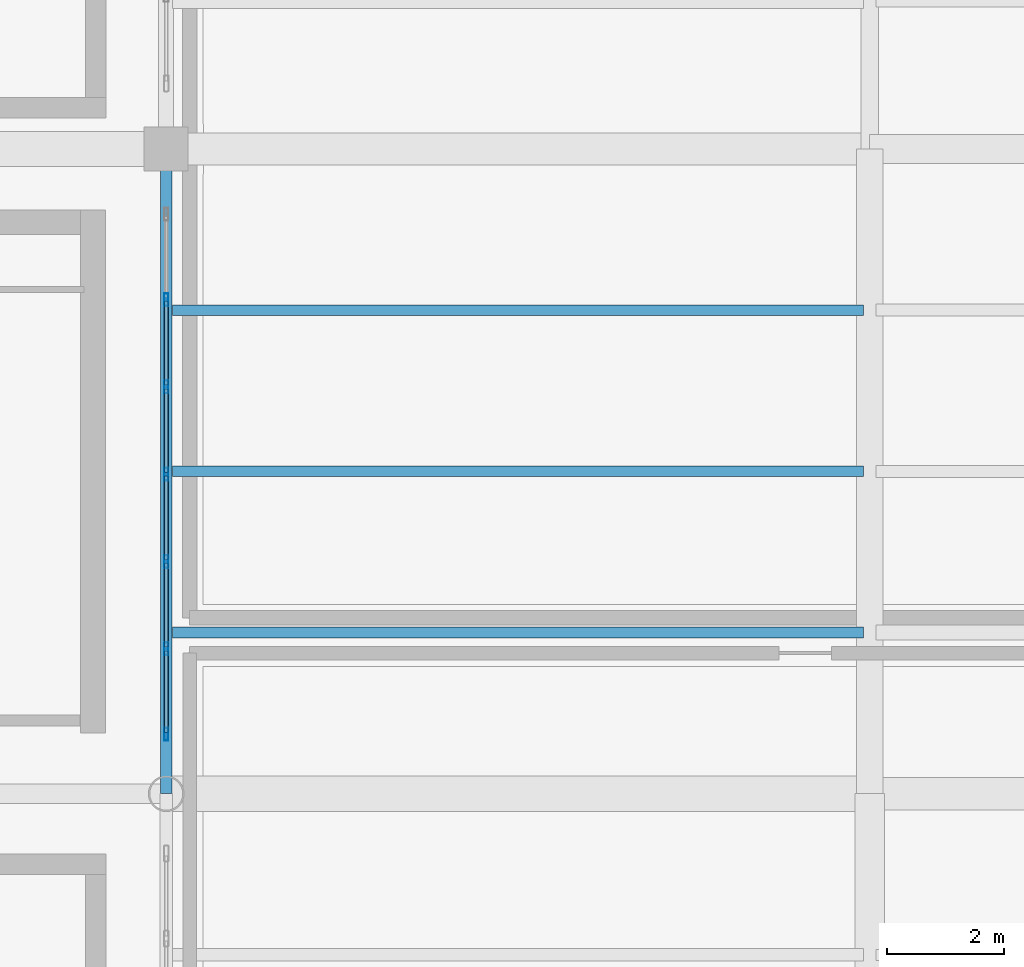
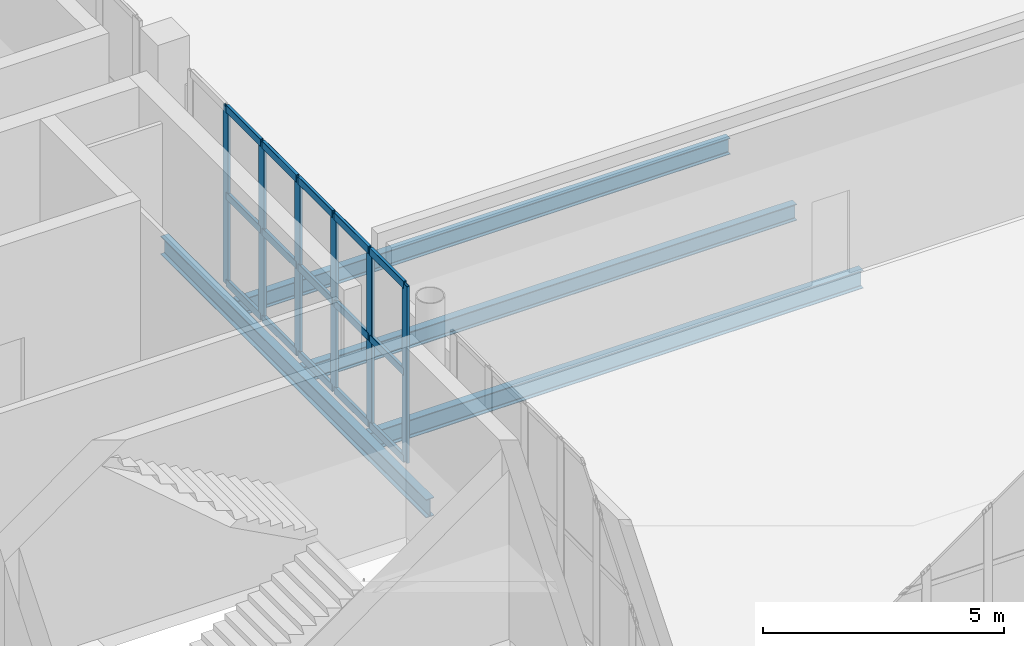
# One storey, part 66 of 136: 21 members, 4 beams, 1 element without a shape of its own.
"""IFC4 building model written with IfcOpenShell, lengths in metres."""

import ifcopenshell
import ifcopenshell.guid

model = None  # the IFC model being written
_history = None  # IfcOwnerHistory: only IFC2X3 demands one
_inside = {}  # id of a spatial element -> (the spatial element, [elements in it])
_under = {}  # id of a project, library or spatial element -> (it, [spatial elements below it])
_declared = {}  # id of a project -> (the project, [libraries it declares])
_typed = {}  # id of a type object -> (the type object, [elements of that type])
_made_of = {}  # id of a material, layer set ... -> (it, [elements and type objects made of it])


def new_model(schema):
    """Start an empty IFC model of exactly this schema.

    Asked for "IFC4X3", IfcOpenShell would pick the latest addendum, in which some entities
    have other attributes; the version numbers below select the first issue.
    IFC2X3 requires an IfcOwnerHistory on every rooted entity: one is made here for all.
    """
    global model, _history
    if schema == "IFC4X3":
        model = ifcopenshell.file(schema_version=(4, 3, 0, 0))
    else:
        model = ifcopenshell.file(schema=schema)
    _inside.clear()
    _under.clear()
    _declared.clear()
    _typed.clear()
    _made_of.clear()
    _history = None
    if model.schema == "IFC2X3":
        org = make("IfcOrganization", Name="unknown")
        user = make(
            "IfcPersonAndOrganization",
            ThePerson=make("IfcPerson", FamilyName="unknown"),
            TheOrganization=org,
        )
        app = make(
            "IfcApplication",
            ApplicationDeveloper=org,
            Version="unknown",
            ApplicationFullName="unknown",
            ApplicationIdentifier="unknown",
        )
        _history = make(
            "IfcOwnerHistory",
            OwningUser=user,
            OwningApplication=app,
            ChangeAction="ADDED",
            CreationDate=0,
        )
    return model


def make(cls, **values):
    """One entity of the class cls with the attributes given. An attribute that is None is left unset."""
    return model.create_entity(
        cls, **{name: value for name, value in values.items() if value is not None}
    )


def rooted(cls, **values):
    """An entity with a GlobalId (a new one), such as an element, a storey or a relation."""
    return make(cls, GlobalId=ifcopenshell.guid.new(), OwnerHistory=_history, **values)


def si_unit(unit_type, name, prefix=None):
    """IfcSIUnit, for example si_unit("LENGTHUNIT", "METRE", prefix="MILLI")."""
    return make("IfcSIUnit", UnitType=unit_type, Prefix=prefix, Name=name)


def assignment(units):
    """IfcUnitAssignment: the units of a project."""
    return None if units is None else make("IfcUnitAssignment", Units=units)


def point(xyz):
    """IfcCartesianPoint."""
    return None if xyz is None else make("IfcCartesianPoint", Coordinates=xyz)


def direction(xyz):
    """IfcDirection."""
    return None if xyz is None else make("IfcDirection", DirectionRatios=xyz)


def frame(location, z_axis=None, x_axis=None):
    """IfcAxis2Placement3D, a coordinate frame: its origin and axes. An axis left out is left unset."""
    return make(
        "IfcAxis2Placement3D",
        Location=point(location),
        Axis=direction(z_axis),
        RefDirection=direction(x_axis),
    )


def frame_2d(location, x_axis=None):
    """IfcAxis2Placement2D, a coordinate frame in the plane: its origin and x axis."""
    return make(
        "IfcAxis2Placement2D", Location=point(location), RefDirection=direction(x_axis)
    )


def origin():
    """The frame at (0, 0, 0) with its axes left unset."""
    return frame((0.0, 0.0, 0.0))


def origin_2d():
    """The frame at (0, 0) in the plane with its x axis left unset."""
    return frame_2d((0.0, 0.0))


def place(relative_to, where):
    """IfcLocalPlacement: puts the frame where relative to a parent placement (None: the world)."""
    return make(
        "IfcLocalPlacement", PlacementRelTo=relative_to, RelativePlacement=where
    )


def context(
    kind, dimensions, precision=None, world=None, true_north=None, identifier=None
):
    """IfcGeometricRepresentationContext, for example the 3D "Model" context."""
    return make(
        "IfcGeometricRepresentationContext",
        ContextIdentifier=identifier,
        ContextType=kind,
        CoordinateSpaceDimension=dimensions,
        Precision=precision,
        WorldCoordinateSystem=world,
        TrueNorth=true_north,
    )


def subcontext(parent, identifier, kind, view, scale=None):
    """IfcGeometricRepresentationSubContext, for example "Body" below "Model"."""
    return make(
        "IfcGeometricRepresentationSubContext",
        ContextIdentifier=identifier,
        ContextType=kind,
        ParentContext=parent,
        TargetScale=scale,
        TargetView=view,
    )


def project(units=None, contexts=None):
    """IfcProject with its units and contexts."""
    return rooted(
        "IfcProject",
        Name="project",
        RepresentationContexts=contexts,
        UnitsInContext=assignment(units),
    )


def spatial(cls, under=None, at=None, **own):
    """A site, building, storey or space (cls), placed at a placement, below another one or the project."""
    s = rooted(cls, ObjectPlacement=at, **own)
    if under is not None:
        _under.setdefault(under.id(), (under, []))[1].append(s)
    return s


def profile(cls, at=None, kind="AREA", **sizes):
    """A parametric profile (cls). Its sizes go by their IFC names, for example OverallWidth=200.0."""
    return make(cls, ProfileType=kind, Position=at, **sizes)


def hollow_rectangle(**sizes):
    """IfcRectangleHollowProfileDef."""
    return profile("IfcRectangleHollowProfileDef", **sizes)


def i_section(**sizes):
    """IfcIShapeProfileDef."""
    return profile("IfcIShapeProfileDef", **sizes)


def extrude(swept, where, along, depth):
    """IfcExtrudedAreaSolid: the profile swept, set in the frame where, extruded along a direction by depth."""
    return make(
        "IfcExtrudedAreaSolid",
        SweptArea=swept,
        Position=where,
        ExtrudedDirection=direction(along),
        Depth=depth,
    )


def shape(context_of_items, identifier, shape_type, items):
    """IfcShapeRepresentation: the items that make up one representation, for example the "Body"."""
    return make(
        "IfcShapeRepresentation",
        ContextOfItems=context_of_items,
        RepresentationIdentifier=identifier,
        RepresentationType=shape_type,
        Items=items,
    )


def material(Name=None, Category=None):
    """IfcMaterial."""
    return make("IfcMaterial", Name=Name, Category=Category)


def layer(
    of_material, thickness, ventilated=None, Name=None, Category=None, Priority=None
):
    """IfcMaterialLayer: one layer of a wall or slab, of a material (None: an air gap)."""
    return make(
        "IfcMaterialLayer",
        Material=of_material,
        LayerThickness=thickness,
        IsVentilated=ventilated,
        Name=Name,
        Category=Category,
        Priority=Priority,
    )


def layer_set(layers, Name=None):
    """IfcMaterialLayerSet."""
    return make("IfcMaterialLayerSet", MaterialLayers=layers, LayerSetName=Name)


def material_profile(
    of_material, cross_section, Name=None, Category=None, Priority=None
):
    """IfcMaterialProfile: a cross section and its material."""
    return make(
        "IfcMaterialProfile",
        Name=Name,
        Material=of_material,
        Profile=cross_section,
        Priority=Priority,
        Category=Category,
    )


def profile_set(profiles, Name=None, composite=None):
    """IfcMaterialProfileSet."""
    return make(
        "IfcMaterialProfileSet",
        Name=Name,
        MaterialProfiles=profiles,
        CompositeProfile=composite,
    )


def made_of(thing, what):
    """Note that an element or type object is made of a material, layer set ...; save() writes the relation."""
    if what is not None:
        _made_of.setdefault(what.id(), (what, []))[1].append(thing)
    return thing


def type_object(cls, material=None, **own):
    """A type object (cls), such as IfcWallType, which elements share."""
    return made_of(rooted(cls, **own), material)


def element(
    cls,
    number,
    at=None,
    inside=None,
    cuts=None,
    type_object=None,
    material=None,
    context=None,
    identifier="Body",
    shape_type=None,
    held_by="IfcProductDefinitionShape",
    body=None,
    shapes=None,
    **own,
):
    """One element of the class cls, such as IfcWall. Its Tag is "e" and its number.

    at: its placement. inside: the storey or other place that contains it. cuts: it is an
    opening in that element (IfcRelVoidsElement). A single representation is given by context,
    identifier, shape_type and body (its items); several are given by shapes. held_by: the class
    of the entity that holds the representations. save() writes the other relations.
    """
    e = rooted(cls, Tag="e%d" % number, ObjectPlacement=at, **own)
    if body is not None:
        shapes = [shape(context, identifier, shape_type, body)]
    if shapes is not None:
        e.Representation = make(held_by, Representations=shapes)
    if inside is not None:
        _inside.setdefault(inside.id(), (inside, []))[1].append(e)
    if cuts is not None:
        rooted(
            "IfcRelVoidsElement", RelatingBuildingElement=cuts, RelatedOpeningElement=e
        )
    if type_object is not None:
        _typed.setdefault(type_object.id(), (type_object, []))[1].append(e)
    return made_of(e, material)


def aggregate(whole, parts):
    """IfcRelAggregates: a whole, such as a stair, and the parts it consists of."""
    return rooted("IfcRelAggregates", RelatingObject=whole, RelatedObjects=parts)


def save(model, path):
    """Write the relations noted so far, then the file.

    IfcRelAggregates (storeys below a building ...), IfcRelContainedInSpatialStructure (elements
    in a storey), IfcRelDefinesByType, IfcRelAssociatesMaterial and IfcRelDeclares: one each for
    every whole, place, type object, material and project.
    """
    for whole, parts in _under.values():
        aggregate(whole, parts)
    for where, things in _inside.values():
        rooted(
            "IfcRelContainedInSpatialStructure",
            RelatedElements=things,
            RelatingStructure=where,
        )
    for kind, things in _typed.values():
        rooted("IfcRelDefinesByType", RelatedObjects=things, RelatingType=kind)
    for what, things in _made_of.values():
        rooted("IfcRelAssociatesMaterial", RelatedObjects=things, RelatingMaterial=what)
    for by, libraries in _declared.values():
        rooted("IfcRelDeclares", RelatingContext=by, RelatedDefinitions=libraries)
    model.write(path)


model = new_model("IFC4")

# Units and contexts
model_context = context("Model", 3, precision=1e-05, world=origin(), true_north=direction((0.0, 1.0)))
body_context = subcontext(model_context, "Body", "Model", "MODEL_VIEW")
ifc_project = project(units=[si_unit("LENGTHUNIT", "METRE"), si_unit("AREAUNIT", "SQUARE_METRE"), si_unit("VOLUMEUNIT", "CUBIC_METRE"), si_unit("PLANEANGLEUNIT", "RADIAN"), si_unit("MASSUNIT", "GRAM", prefix="KILO")], contexts=[model_context])

# Site, building, storey
site_placement = place(None, origin())
site = spatial("IfcSite", under=ifc_project, at=site_placement, CompositionType="ELEMENT")
building_placement = place(site_placement, origin())
building = spatial("IfcBuilding", under=site, at=building_placement, Name="Brinegate Civic Arena", CompositionType="ELEMENT")
storey_placement = place(building_placement, frame((0.0, 0.0, 5.39990234375)))
storey = spatial("IfcBuildingStorey", under=building, at=storey_placement, Name="L01", CompositionType="ELEMENT", Elevation=5.39990234375)

# Curtain wall, members
ifc_material_1 = material(Name="Marine grade aluminium", Category="aluminium")
ifc_layer = layer(ifc_material_1, 0.199951171875, Name="Marine grade aluminium")
ifc_layer_set = layer_set([ifc_layer], Name="Marine grade aluminium")
curtain_wall_type = type_object("IfcCurtainWallType", Name="CW-BOWL-GLAZED-01", PredefinedType="USERDEFINED", material=ifc_layer_set)
curtain_wall_placement = place(storey_placement, origin())
curtain_wall = element("IfcCurtainWall", 1, at=curtain_wall_placement, inside=storey, type_object=curtain_wall_type, Name="Curtain Wall CWA-047", ObjectType="GLAZED CURTAIN WALL", PredefinedType="USERDEFINED")
ifc_material_profile_1 = material_profile(ifc_material_1, hollow_rectangle(XDim=0.06494140625, YDim=0.219970703125, WallThickness=0.006103515625, InnerFilletRadius=0.00390625, OuterFilletRadius=0.008056640625, at=origin_2d()), Name="MUL65X220")
ifc_profile_set_1 = profile_set([ifc_material_profile_1], Name="Marine grade aluminium")
member_type_1 = type_object("IfcMemberType", Name="CW-MULLION-65X220", PredefinedType="MULLION", material=ifc_profile_set_1)
member_1_placement = place(storey_placement, frame((168.0, 32.013427734375, 0.0), z_axis=(0.0, 0.0, 1.0), x_axis=(-1.0, 0.0, 0.0)))
member_1 = element("IfcMember", 2, at=member_1_placement, type_object=member_type_1, Name="CWA-047 mullion 1", PredefinedType="MULLION", context=body_context, shape_type="SweptSolid", body=[
    extrude(hollow_rectangle(XDim=0.06494140625, YDim=0.219970703125, WallThickness=0.006103515625, InnerFilletRadius=0.00390625, OuterFilletRadius=0.008056640625, at=origin_2d()), origin(), (0.0, 0.0, 1.0), 4.47021484375),
])
member_2_placement = place(storey_placement, frame((168.0, 33.470947265625, 0.0), z_axis=(0.0, 0.0, 1.0), x_axis=(-1.0, 0.0, 0.0)))
member_2 = element("IfcMember", 3, at=member_2_placement, type_object=member_type_1, Name="CWA-047 mullion 2", PredefinedType="MULLION", context=body_context, shape_type="SweptSolid", body=[
    extrude(hollow_rectangle(XDim=0.06494140625, YDim=0.219970703125, WallThickness=0.006103515625, InnerFilletRadius=0.00390625, OuterFilletRadius=0.008056640625, at=origin_2d()), origin(), (0.0, 0.0, 1.0), 4.47021484375),
])
member_3_placement = place(storey_placement, frame((168.0, 34.960693359375, 0.0), z_axis=(0.0, 0.0, 1.0), x_axis=(-1.0, 0.0, 0.0)))
member_3 = element("IfcMember", 4, at=member_3_placement, type_object=member_type_1, Name="CWA-047 mullion 3", PredefinedType="MULLION", context=body_context, shape_type="SweptSolid", body=[
    extrude(hollow_rectangle(XDim=0.06494140625, YDim=0.219970703125, WallThickness=0.006103515625, InnerFilletRadius=0.00390625, OuterFilletRadius=0.008056640625, at=origin_2d()), origin(), (0.0, 0.0, 1.0), 4.47021484375),
])
member_4_placement = place(storey_placement, frame((168.0, 36.450439453125, 0.0), z_axis=(0.0, 0.0, 1.0), x_axis=(-1.0, 0.0, 0.0)))
member_4 = element("IfcMember", 5, at=member_4_placement, type_object=member_type_1, Name="CWA-047 mullion 4", PredefinedType="MULLION", context=body_context, shape_type="SweptSolid", body=[
    extrude(hollow_rectangle(XDim=0.06494140625, YDim=0.219970703125, WallThickness=0.006103515625, InnerFilletRadius=0.00390625, OuterFilletRadius=0.008056640625, at=origin_2d()), origin(), (0.0, 0.0, 1.0), 4.47021484375),
])
member_5_placement = place(storey_placement, frame((168.0, 37.9404296875, 0.0), z_axis=(0.0, 0.0, 1.0), x_axis=(-1.0, 0.0, 0.0)))
member_5 = element("IfcMember", 6, at=member_5_placement, type_object=member_type_1, Name="CWA-047 mullion 5", PredefinedType="MULLION", context=body_context, shape_type="SweptSolid", body=[
    extrude(hollow_rectangle(XDim=0.06494140625, YDim=0.219970703125, WallThickness=0.006103515625, InnerFilletRadius=0.00390625, OuterFilletRadius=0.008056640625, at=origin_2d()), origin(), (0.0, 0.0, 1.0), 4.47021484375),
])
member_6_placement = place(storey_placement, frame((168.0, 39.43017578125, 0.0), z_axis=(0.0, 0.0, 1.0), x_axis=(-1.0, 0.0, 0.0)))
member_6 = element("IfcMember", 7, at=member_6_placement, type_object=member_type_1, Name="CWA-047 mullion 6", PredefinedType="MULLION", context=body_context, shape_type="SweptSolid", body=[
    extrude(hollow_rectangle(XDim=0.06494140625, YDim=0.219970703125, WallThickness=0.006103515625, InnerFilletRadius=0.00390625, OuterFilletRadius=0.008056640625, at=origin_2d()), origin(), (0.0, 0.0, 1.0), 4.47021484375),
])
ifc_material_profile_2 = material_profile(ifc_material_1, hollow_rectangle(XDim=0.074951171875, YDim=0.18994140625, WallThickness=0.006103515625, InnerFilletRadius=0.00390625, OuterFilletRadius=0.008056640625, at=origin_2d()), Name="TRN75X190")
ifc_profile_set_2 = profile_set([ifc_material_profile_2], Name="Marine grade aluminium")
member_type_2 = type_object("IfcMemberType", Name="CW-TRANSOM-75X190", PredefinedType="USERDEFINED", material=ifc_profile_set_2)
member_7_placement = place(storey_placement, frame((168.0, 32.0458984375, 0.03759765625), z_axis=(0.0, 1.0, 0.0), x_axis=(-1.0, 0.0, 0.0)))
member_7 = element("IfcMember", 8, at=member_7_placement, type_object=member_type_2, Name="CWA-047 transom 1.1", ObjectType="TRANSOM", PredefinedType="USERDEFINED", context=body_context, shape_type="SweptSolid", body=[
    extrude(hollow_rectangle(XDim=0.074951171875, YDim=0.18994140625, WallThickness=0.006103515625, InnerFilletRadius=0.00390625, OuterFilletRadius=0.008056640625, at=origin_2d()), origin(), (0.0, 0.0, 1.0), 1.392333984375),
])
member_8_placement = place(storey_placement, frame((168.0, 32.0458984375, 2.235107421875), z_axis=(0.0, 1.0, 0.0), x_axis=(-1.0, 0.0, 0.0)))
member_8 = element("IfcMember", 9, at=member_8_placement, type_object=member_type_2, Name="CWA-047 transom 1.2", ObjectType="TRANSOM", PredefinedType="USERDEFINED", context=body_context, shape_type="SweptSolid", body=[
    extrude(hollow_rectangle(XDim=0.074951171875, YDim=0.18994140625, WallThickness=0.006103515625, InnerFilletRadius=0.00390625, OuterFilletRadius=0.008056640625, at=origin_2d()), origin(), (0.0, 0.0, 1.0), 1.392333984375),
])
member_9_placement = place(storey_placement, frame((168.0, 32.0458984375, 4.4326171875), z_axis=(0.0, 1.0, 0.0), x_axis=(-1.0, 0.0, 0.0)))
member_9 = element("IfcMember", 10, at=member_9_placement, type_object=member_type_2, Name="CWA-047 transom 1.3", ObjectType="TRANSOM", PredefinedType="USERDEFINED", context=body_context, shape_type="SweptSolid", body=[
    extrude(hollow_rectangle(XDim=0.074951171875, YDim=0.18994140625, WallThickness=0.006103515625, InnerFilletRadius=0.00390625, OuterFilletRadius=0.008056640625, at=origin_2d()), origin(), (0.0, 0.0, 1.0), 1.392333984375),
])
member_10_placement = place(storey_placement, frame((168.0, 33.50341796875, 0.03759765625), z_axis=(0.0, 1.0, 0.0), x_axis=(-1.0, 0.0, 0.0)))
member_10 = element("IfcMember", 11, at=member_10_placement, type_object=member_type_2, Name="CWA-047 transom 2.1", ObjectType="TRANSOM", PredefinedType="USERDEFINED", context=body_context, shape_type="SweptSolid", body=[
    extrude(hollow_rectangle(XDim=0.074951171875, YDim=0.18994140625, WallThickness=0.006103515625, InnerFilletRadius=0.00390625, OuterFilletRadius=0.008056640625, at=origin_2d()), origin(), (0.0, 0.0, 1.0), 1.4248046875),
])
member_11_placement = place(storey_placement, frame((168.0, 33.50341796875, 2.235107421875), z_axis=(0.0, 1.0, 0.0), x_axis=(-1.0, 0.0, 0.0)))
member_11 = element("IfcMember", 12, at=member_11_placement, type_object=member_type_2, Name="CWA-047 transom 2.2", ObjectType="TRANSOM", PredefinedType="USERDEFINED", context=body_context, shape_type="SweptSolid", body=[
    extrude(hollow_rectangle(XDim=0.074951171875, YDim=0.18994140625, WallThickness=0.006103515625, InnerFilletRadius=0.00390625, OuterFilletRadius=0.008056640625, at=origin_2d()), origin(), (0.0, 0.0, 1.0), 1.4248046875),
])
member_12_placement = place(storey_placement, frame((168.0, 33.50341796875, 4.4326171875), z_axis=(0.0, 1.0, 0.0), x_axis=(-1.0, 0.0, 0.0)))
member_12 = element("IfcMember", 13, at=member_12_placement, type_object=member_type_2, Name="CWA-047 transom 2.3", ObjectType="TRANSOM", PredefinedType="USERDEFINED", context=body_context, shape_type="SweptSolid", body=[
    extrude(hollow_rectangle(XDim=0.074951171875, YDim=0.18994140625, WallThickness=0.006103515625, InnerFilletRadius=0.00390625, OuterFilletRadius=0.008056640625, at=origin_2d()), origin(), (0.0, 0.0, 1.0), 1.4248046875),
])
member_13_placement = place(storey_placement, frame((168.0, 34.9931640625, 0.03759765625), z_axis=(0.0, 1.0, 0.0), x_axis=(-1.0, 0.0, 0.0)))
member_13 = element("IfcMember", 14, at=member_13_placement, type_object=member_type_2, Name="CWA-047 transom 3.1", ObjectType="TRANSOM", PredefinedType="USERDEFINED", context=body_context, shape_type="SweptSolid", body=[
    extrude(hollow_rectangle(XDim=0.074951171875, YDim=0.18994140625, WallThickness=0.006103515625, InnerFilletRadius=0.00390625, OuterFilletRadius=0.008056640625, at=origin_2d()), origin(), (0.0, 0.0, 1.0), 1.4248046875),
])
member_14_placement = place(storey_placement, frame((168.0, 34.9931640625, 2.235107421875), z_axis=(0.0, 1.0, 0.0), x_axis=(-1.0, 0.0, 0.0)))
member_14 = element("IfcMember", 15, at=member_14_placement, type_object=member_type_2, Name="CWA-047 transom 3.2", ObjectType="TRANSOM", PredefinedType="USERDEFINED", context=body_context, shape_type="SweptSolid", body=[
    extrude(hollow_rectangle(XDim=0.074951171875, YDim=0.18994140625, WallThickness=0.006103515625, InnerFilletRadius=0.00390625, OuterFilletRadius=0.008056640625, at=origin_2d()), origin(), (0.0, 0.0, 1.0), 1.4248046875),
])
member_15_placement = place(storey_placement, frame((168.0, 34.9931640625, 4.4326171875), z_axis=(0.0, 1.0, 0.0), x_axis=(-1.0, 0.0, 0.0)))
member_15 = element("IfcMember", 16, at=member_15_placement, type_object=member_type_2, Name="CWA-047 transom 3.3", ObjectType="TRANSOM", PredefinedType="USERDEFINED", context=body_context, shape_type="SweptSolid", body=[
    extrude(hollow_rectangle(XDim=0.074951171875, YDim=0.18994140625, WallThickness=0.006103515625, InnerFilletRadius=0.00390625, OuterFilletRadius=0.008056640625, at=origin_2d()), origin(), (0.0, 0.0, 1.0), 1.4248046875),
])
member_16_placement = place(storey_placement, frame((168.0, 36.48291015625, 0.03759765625), z_axis=(0.0, 1.0, 0.0), x_axis=(-1.0, 0.0, 0.0)))
member_16 = element("IfcMember", 17, at=member_16_placement, type_object=member_type_2, Name="CWA-047 transom 4.1", ObjectType="TRANSOM", PredefinedType="USERDEFINED", context=body_context, shape_type="SweptSolid", body=[
    extrude(hollow_rectangle(XDim=0.074951171875, YDim=0.18994140625, WallThickness=0.006103515625, InnerFilletRadius=0.00390625, OuterFilletRadius=0.008056640625, at=origin_2d()), origin(), (0.0, 0.0, 1.0), 1.4248046875),
])
member_17_placement = place(storey_placement, frame((168.0, 36.48291015625, 2.235107421875), z_axis=(0.0, 1.0, 0.0), x_axis=(-1.0, 0.0, 0.0)))
member_17 = element("IfcMember", 18, at=member_17_placement, type_object=member_type_2, Name="CWA-047 transom 4.2", ObjectType="TRANSOM", PredefinedType="USERDEFINED", context=body_context, shape_type="SweptSolid", body=[
    extrude(hollow_rectangle(XDim=0.074951171875, YDim=0.18994140625, WallThickness=0.006103515625, InnerFilletRadius=0.00390625, OuterFilletRadius=0.008056640625, at=origin_2d()), origin(), (0.0, 0.0, 1.0), 1.4248046875),
])
member_18_placement = place(storey_placement, frame((168.0, 36.48291015625, 4.4326171875), z_axis=(0.0, 1.0, 0.0), x_axis=(-1.0, 0.0, 0.0)))
member_18 = element("IfcMember", 19, at=member_18_placement, type_object=member_type_2, Name="CWA-047 transom 4.3", ObjectType="TRANSOM", PredefinedType="USERDEFINED", context=body_context, shape_type="SweptSolid", body=[
    extrude(hollow_rectangle(XDim=0.074951171875, YDim=0.18994140625, WallThickness=0.006103515625, InnerFilletRadius=0.00390625, OuterFilletRadius=0.008056640625, at=origin_2d()), origin(), (0.0, 0.0, 1.0), 1.4248046875),
])
member_19_placement = place(storey_placement, frame((168.0, 37.972900390625, 0.03759765625), z_axis=(0.0, 1.0, 0.0), x_axis=(-1.0, 0.0, 0.0)))
member_19 = element("IfcMember", 20, at=member_19_placement, type_object=member_type_2, Name="CWA-047 transom 5.1", ObjectType="TRANSOM", PredefinedType="USERDEFINED", context=body_context, shape_type="SweptSolid", body=[
    extrude(hollow_rectangle(XDim=0.074951171875, YDim=0.18994140625, WallThickness=0.006103515625, InnerFilletRadius=0.00390625, OuterFilletRadius=0.008056640625, at=origin_2d()), origin(), (0.0, 0.0, 1.0), 1.4248046875),
])
member_20_placement = place(storey_placement, frame((168.0, 37.972900390625, 2.235107421875), z_axis=(0.0, 1.0, 0.0), x_axis=(-1.0, 0.0, 0.0)))
member_20 = element("IfcMember", 21, at=member_20_placement, type_object=member_type_2, Name="CWA-047 transom 5.2", ObjectType="TRANSOM", PredefinedType="USERDEFINED", context=body_context, shape_type="SweptSolid", body=[
    extrude(hollow_rectangle(XDim=0.074951171875, YDim=0.18994140625, WallThickness=0.006103515625, InnerFilletRadius=0.00390625, OuterFilletRadius=0.008056640625, at=origin_2d()), origin(), (0.0, 0.0, 1.0), 1.4248046875),
])
member_21_placement = place(storey_placement, frame((168.0, 37.972900390625, 4.4326171875), z_axis=(0.0, 1.0, 0.0), x_axis=(-1.0, 0.0, 0.0)))
member_21 = element("IfcMember", 22, at=member_21_placement, type_object=member_type_2, Name="CWA-047 transom 5.3", ObjectType="TRANSOM", PredefinedType="USERDEFINED", context=body_context, shape_type="SweptSolid", body=[
    extrude(hollow_rectangle(XDim=0.074951171875, YDim=0.18994140625, WallThickness=0.006103515625, InnerFilletRadius=0.00390625, OuterFilletRadius=0.008056640625, at=origin_2d()), origin(), (0.0, 0.0, 1.0), 1.4248046875),
])
aggregate(curtain_wall, [member_1, member_2, member_3, member_4, member_5, member_6, member_7, member_8, member_9, member_10, member_11, member_12, member_13, member_14, member_15, member_16, member_17, member_18, member_19, member_20, member_21])

# Beams
ifc_material_2 = material(Name="Steel S355", Category="steel")
ifc_material_profile_3 = material_profile(ifc_material_2, i_section(OverallWidth=0.178955078125, OverallDepth=0.409912109375, WebThickness=0.009033203125, FlangeThickness=0.013916015625, FilletRadius=0.013916015625, at=origin_2d()), Name="W410X67")
ifc_profile_set_3 = profile_set([ifc_material_profile_3], Name="Steel S355")
beam_type_1 = type_object("IfcBeamType", Name="JOIST-W410X67", PredefinedType="JOIST", material=ifc_profile_set_3)
beam_1_placement = place(storey_placement, frame((168.10595703125, 39.25, -0.544921875), z_axis=(1.0, 0.0, 0.0), x_axis=(0.0, 1.0, 0.0)))
element("IfcBeam", 23, at=beam_1_placement, inside=storey, type_object=beam_type_1, Name="Secondary Joist BM-L01-JX-14-03-3", PredefinedType="JOIST", context=body_context, shape_type="SweptSolid", body=[
    extrude(i_section(OverallWidth=0.178955078125, OverallDepth=0.409912109375, WebThickness=0.009033203125, FlangeThickness=0.013916015625, FilletRadius=0.013916015625, at=origin_2d()), origin(), (0.0, 0.0, 1.0), 11.7880859375),
])
ifc_material_profile_4 = material_profile(ifc_material_2, i_section(OverallWidth=0.180908203125, OverallDepth=0.4169921875, WebThickness=0.010986328125, FlangeThickness=0.01806640625, FilletRadius=0.013916015625, at=origin_2d()), Name="W410X85")
ifc_profile_set_4 = profile_set([ifc_material_profile_4], Name="Steel S355")
beam_type_2 = type_object("IfcBeamType", Name="JOIST-W410X85", PredefinedType="JOIST", material=ifc_profile_set_4)
beam_2_placement = place(storey_placement, frame((168.10595703125, 36.5, -0.5478515625), z_axis=(1.0, 0.0, 0.0), x_axis=(0.0, 1.0, 0.0)))
element("IfcBeam", 24, at=beam_2_placement, inside=storey, type_object=beam_type_2, Name="Secondary Joist BM-L01-JX-14-03-2", PredefinedType="JOIST", context=body_context, shape_type="SweptSolid", body=[
    extrude(i_section(OverallWidth=0.180908203125, OverallDepth=0.4169921875, WebThickness=0.010986328125, FlangeThickness=0.01806640625, FilletRadius=0.013916015625, at=origin_2d()), origin(), (0.0, 0.0, 1.0), 11.7880859375),
])
ifc_material_profile_5 = material_profile(ifc_material_2, i_section(OverallWidth=0.19091796875, OverallDepth=0.4599609375, WebThickness=0.010009765625, FlangeThickness=0.01611328125, FilletRadius=0.014892578125, at=origin_2d()), Name="W460X82")
ifc_profile_set_5 = profile_set([ifc_material_profile_5], Name="Steel S355")
beam_type_3 = type_object("IfcBeamType", Name="JOIST-W460X82", PredefinedType="JOIST", material=ifc_profile_set_5)
beam_3_placement = place(storey_placement, frame((168.10595703125, 33.75, -0.56982421875), z_axis=(1.0, 0.0, 0.0), x_axis=(0.0, 1.0, 0.0)))
element("IfcBeam", 25, at=beam_3_placement, inside=storey, type_object=beam_type_3, Name="Secondary Joist BM-L01-JX-14-03-1", PredefinedType="JOIST", context=body_context, shape_type="SweptSolid", body=[
    extrude(i_section(OverallWidth=0.19091796875, OverallDepth=0.4599609375, WebThickness=0.010009765625, FlangeThickness=0.01611328125, FilletRadius=0.014892578125, at=origin_2d()), origin(), (0.0, 0.0, 1.0), 11.7880859375),
])
ifc_material_profile_6 = material_profile(ifc_material_2, i_section(OverallWidth=0.193115234375, OverallDepth=0.466064453125, WebThickness=0.010986328125, FlangeThickness=0.01904296875, FilletRadius=0.014892578125, at=origin_2d()), Name="W460X97")
ifc_profile_set_6 = profile_set([ifc_material_profile_6], Name="Steel S355")
beam_type_4 = type_object("IfcBeamType", Name="SPANDREL-W460X97", PredefinedType="SPANDREL", material=ifc_profile_set_6)
beam_4_placement = place(storey_placement, frame((168.0, 31.0, -0.572998046875), z_axis=(0.0, 1.0, 0.0), x_axis=(-1.0, 0.0, 0.0)))
element("IfcBeam", 26, at=beam_4_placement, inside=storey, type_object=beam_type_4, Name="Floor Girder BM-L01-GY-14-03", PredefinedType="SPANDREL", context=body_context, shape_type="SweptSolid", body=[
    extrude(i_section(OverallWidth=0.193115234375, OverallDepth=0.466064453125, WebThickness=0.010986328125, FlangeThickness=0.01904296875, FilletRadius=0.014892578125, at=origin_2d()), origin(), (0.0, 0.0, 1.0), 11.0),
])

save(model, "model.ifc")
